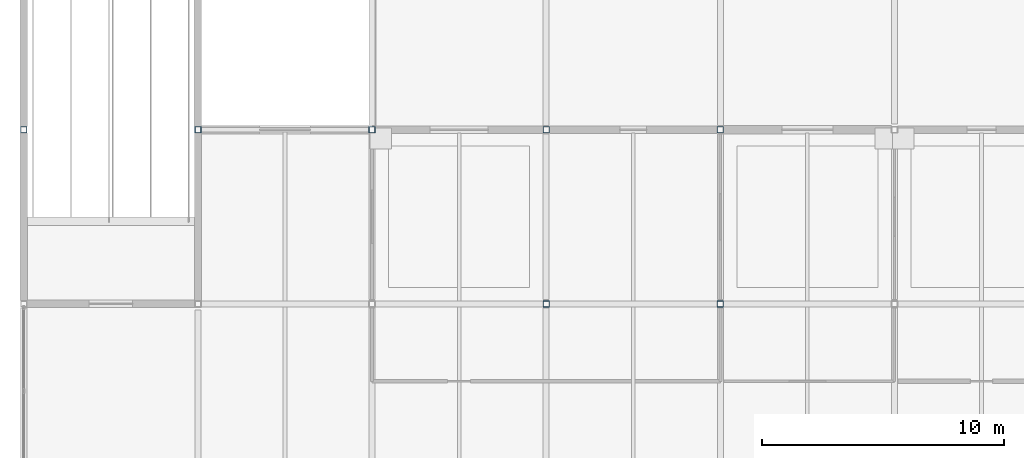
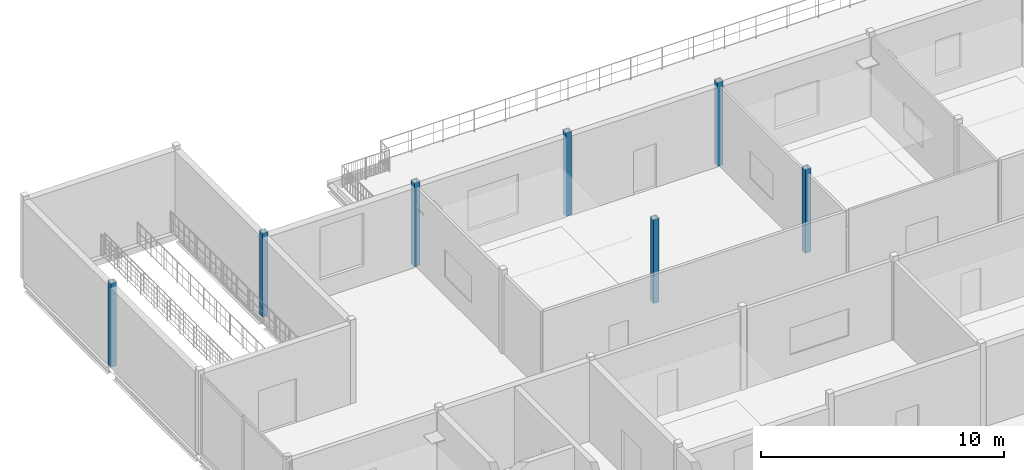
# One storey, part 2 of 18: 7 columns.
"""IFC4 building model written with IfcOpenShell, lengths in metres."""

from ifc_helpers import new_model, si_unit, direction, frame, origin, origin_2d, place, context, subcontext, project, spatial, hollow_rectangle, extrude, material, material_profile, profile_set, type_object, element, save


model = new_model("IFC4")

# Units and contexts
model_context = context("Model", 3, precision=1e-05, world=origin(), true_north=direction((0.0, 1.0)))
body_context = subcontext(model_context, "Body", "Model", "MODEL_VIEW")
ifc_project = project(units=[si_unit("LENGTHUNIT", "METRE"), si_unit("AREAUNIT", "SQUARE_METRE"), si_unit("VOLUMEUNIT", "CUBIC_METRE"), si_unit("PLANEANGLEUNIT", "RADIAN"), si_unit("MASSUNIT", "GRAM", prefix="KILO")], contexts=[model_context])

# Site, building, storey
site_placement = place(None, origin())
site = spatial("IfcSite", under=ifc_project, at=site_placement, CompositionType="ELEMENT")
building_placement = place(site_placement, origin())
building = spatial("IfcBuilding", under=site, at=building_placement, Name="Vesperath Aquatics Centre", CompositionType="ELEMENT")
storey_placement = place(building_placement, frame((0.0, 0.0, 23.39990234375)))
storey = spatial("IfcBuildingStorey", under=building, at=storey_placement, Name="L05", CompositionType="ELEMENT", Elevation=23.39990234375)

# Columns
ifc_material = material(Name="Steel Q355C", Category="steel")
ifc_material_profile = material_profile(ifc_material, hollow_rectangle(XDim=0.260009765625, YDim=0.260009765625, WallThickness=0.011962890625, at=origin_2d()), Name="SHS 260x260x12")
ifc_profile_set = profile_set([ifc_material_profile], Name="Steel Q355C")
column_type = type_object("IfcColumnType", Name="CL-C17", PredefinedType="COLUMN", material=ifc_profile_set)
for number, where, z_axis, x_axis, name in (
    (1, (115.199951171875, 28.800048828125, 0.0), (0.0, 0.0, 1.0), (1.0, 0.0, 0.0), "Column C17 L05 17/E"),
    (2, (122.39990234375, 28.800048828125, 0.0), (0.0, 0.0, 1.0), (1.0, 0.0, 0.0), "Column C17 L05 18/E"),
    (3, (129.60009765625, 28.800048828125, 0.0), (0.0, 0.0, 1.0), (1.0, 0.0, 0.0), "Column C17 L05 19/E"),
    (4, (136.800048828125, 21.60009765625, 0.0), (0.0, 0.0, 1.0), (1.0, 0.0, 0.0), "Column C17 L05 20/D"),
    (5, (136.800048828125, 28.800048828125, 0.0), (0.0, 0.0, 1.0), (1.0, 0.0, 0.0), "Column C17 L05 20/E"),
    (6, (144.0, 21.60009765625, 0.0), (0.0, 0.0, 1.0), (1.0, 0.0, 0.0), "Column C17 L05 21/D"),
    (7, (144.0, 28.800048828125, 0.0), (0.0, 0.0, 1.0), (1.0, 0.0, 0.0), "Column C17 L05 21/E"),
):
    element("IfcColumn", number, at=place(storey_placement, frame(where, z_axis=z_axis, x_axis=x_axis)), inside=storey, type_object=column_type, Name=name, PredefinedType="COLUMN", context=body_context, shape_type="SweptSolid", body=[
        extrude(hollow_rectangle(XDim=0.260009765625, YDim=0.260009765625, WallThickness=0.011962890625, at=origin_2d()), origin(), (0.0, 0.0, 1.0), 4.2001953125),
    ])

save(model, "model.ifc")
